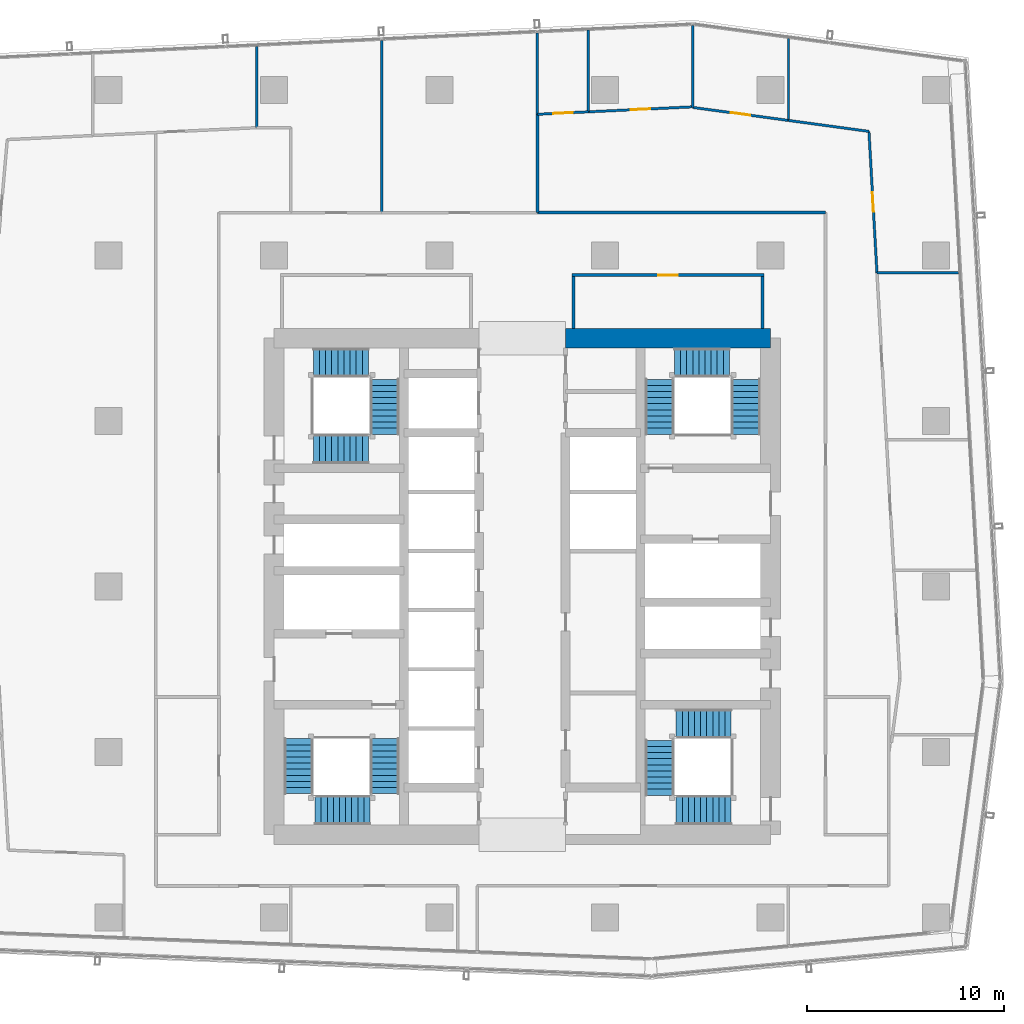
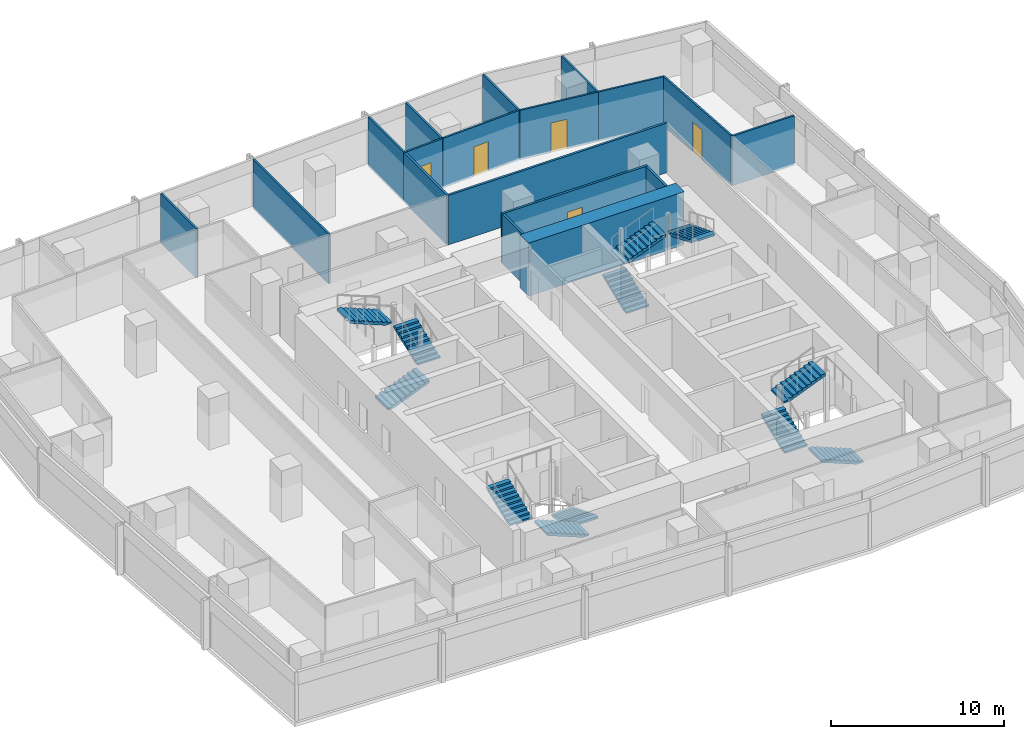
# One storey, part 30 of 38: 18 walls, 12 stair flights, 5 doors, 5 openings, 4 elements without a shape of their own.
"""IFC4 building model written with IfcOpenShell, lengths in metres."""

from ifc_helpers import new_model, si_unit, direction, frame, frame_2d, origin, place, context, subcontext, project, spatial, polyline, rectangle, outline, extrude, material, layer, layer_set, type_object, element, fill, aggregate, save


model = new_model("IFC4")

# Units and contexts
model_context = context("Model", 3, precision=1e-05, world=origin(), true_north=direction((0.0, 1.0)))
body_context = subcontext(model_context, "Body", "Model", "MODEL_VIEW")
ifc_project = project(units=[si_unit("LENGTHUNIT", "METRE"), si_unit("AREAUNIT", "SQUARE_METRE"), si_unit("VOLUMEUNIT", "CUBIC_METRE"), si_unit("PLANEANGLEUNIT", "RADIAN"), si_unit("MASSUNIT", "GRAM", prefix="KILO")], contexts=[model_context])

# Site, building, storey
site_placement = place(None, origin())
site = spatial("IfcSite", under=ifc_project, at=site_placement, CompositionType="ELEMENT")
building_placement = place(site_placement, origin())
building = spatial("IfcBuilding", under=site, at=building_placement, Name="Rekha Terrace Tower", CompositionType="ELEMENT")
storey_placement = place(building_placement, frame((0.0, 0.0, 202.699951171875)))
storey = spatial("IfcBuildingStorey", under=building, at=storey_placement, Name="L51", CompositionType="ELEMENT", Elevation=202.699951171875)

# Wall
ifc_material_1 = material(Name="Concrete M60", Category="concrete")
ifc_layer_1 = layer(ifc_material_1, 1.0)
ifc_layer_set_1 = layer_set([ifc_layer_1], Name="Concrete M60")
wall_type_1 = type_object("IfcWallType", Name="SW3 1000 core outer shear wall", PredefinedType="SHEAR", material=ifc_layer_set_1)
wall_1_placement = place(storey_placement, frame((40.0, 46.199951171875, 0.0), z_axis=(0.0, 0.0, 1.0), x_axis=(1.0, 0.0, 0.0)))
element("IfcWall", 1, at=wall_1_placement, inside=storey, type_object=wall_type_1, Name="Core wall N2 L51", PredefinedType="SHEAR", context=body_context, shape_type="SweptSolid", body=[
    extrude(rectangle(XDim=10.39990234375, YDim=1.0, at=frame_2d((5.199951171875, 0.0))), origin(), (0.0, 0.0, 1.0), 3.75),
])

# Wall, opening, door
ifc_material_2 = material(Name="Concrete block masonry, 1 hour", Category="masonry")
ifc_layer_2 = layer(ifc_material_2, 0.14990234375)
ifc_layer_set_2 = layer_set([ifc_layer_2], Name="Concrete block masonry, 1 hour")
wall_type_2 = type_object("IfcWallType", Name="WP2 150 tenancy partition", PredefinedType="PARTITIONING", material=ifc_layer_set_2)
wall_2_placement = place(storey_placement, frame((40.324951171875, 49.39990234375, 0.0), z_axis=(0.0, 0.0, 1.0), x_axis=(1.0, 0.0, 0.0)))
wall_2 = element("IfcWall", 2, at=wall_2_placement, inside=storey, type_object=wall_type_2, Name="Women's WC wall L51", PredefinedType="PARTITIONING", context=body_context, shape_type="SweptSolid", body=[
    extrude(rectangle(XDim=9.75, YDim=0.14990234375, at=frame_2d((4.875, 0.0))), origin(), (0.0, 0.0, 1.0), 3.5),
])
opening_1_placement = place(wall_2_placement, frame((4.375, 0.0, 0.0)))
opening_1 = element("IfcOpeningElement", 3, at=opening_1_placement, cuts=wall_2, Name="Opening D3", PredefinedType="OPENING", context=body_context, shape_type="SweptSolid", body=[
    extrude(rectangle(XDim=1.0, YDim=2.10009765625, at=frame_2d((0.5, 1.050048828125))), frame((0.0, 0.0849609375, 0.0), z_axis=(0.0, -1.0, 0.0), x_axis=(1.0, 0.0, 0.0)), (0.0, 0.0, 1.0), 0.169921875),
])
ifc_material_3 = material(Name="Laminated timber fire door", Category="wood")
door_type_1 = type_object("IfcDoorType", Name="D3 1000x2100 WC door", OperationType="SINGLE_SWING_LEFT", PredefinedType="DOOR", material=ifc_material_3)
door_1_placement = place(opening_1_placement, origin())
door_1 = element("IfcDoor", 4, at=door_1_placement, inside=storey, type_object=door_type_1, Name="Door women's wc L51", OperationType="SINGLE_SWING_LEFT", OverallHeight=2.10009765625, OverallWidth=1.0, PredefinedType="DOOR", context=body_context, shape_type="SweptSolid", body=[
    extrude(rectangle(XDim=1.0, YDim=2.10009765625, at=frame_2d((0.5, 1.050048828125))), frame((0.0, 0.02490234375, 0.0), z_axis=(0.0, -1.0, 0.0), x_axis=(1.0, 0.0, 0.0)), (0.0, 0.0, 1.0), 0.050048828125),
])
fill(opening_1, door_1)

# Walls
for number, where, z_axis, x_axis, name in (
    (5, (40.39990234375, 46.699951171875, 0.0), (0.0, 0.0, 1.0), (0.0, 1.0, 0.0), "Women's WC wall L51"),
    (6, (50.0, 46.699951171875, 0.0), (0.0, 0.0, 1.0), (0.0, 1.0, 0.0), "Women's WC wall L51"),
):
    element("IfcWall", number, at=place(storey_placement, frame(where, z_axis=z_axis, x_axis=x_axis)), inside=storey, type_object=wall_type_2, Name=name, PredefinedType="PARTITIONING", context=body_context, shape_type="SweptSolid", body=[
        extrude(rectangle(XDim=2.625, YDim=0.14990234375, at=frame_2d((1.3125, 0.0))), origin(), (0.0, 0.0, 1.0), 3.5),
    ])
wall_3_placement = place(storey_placement, frame((53.199951171875, 52.574951171875, 0.0), z_axis=(0.0, 0.0, 1.0), x_axis=(-1.0, 0.0, 0.0)))
element("IfcWall", 7, at=wall_3_placement, inside=storey, type_object=wall_type_2, Name="Partition L51-O1", PredefinedType="PARTITIONING", context=body_context, shape_type="SweptSolid", body=[
    extrude(rectangle(XDim=14.6298828125, YDim=0.14990234375, at=frame_2d((7.31494140625, 0.0))), origin(), (0.0, 0.0, 1.0), 3.5),
])
wall_4_placement = place(storey_placement, frame((38.570068359375, 52.574951171875, 0.0), z_axis=(0.0, 0.0, 1.0), x_axis=(0.0, 1.0, 0.0)))
element("IfcWall", 8, at=wall_4_placement, inside=storey, type_object=wall_type_2, Name="Partition L51-O1", PredefinedType="PARTITIONING", context=body_context, shape_type="SweptSolid", body=[
    extrude(rectangle(XDim=4.990966796875, YDim=0.14990234375, at=frame_2d((2.49560546875, 0.0))), origin(), (0.0, 0.0, 1.0), 3.5),
])
ifc_material_4 = material(Name="Two layers of fire-rated gypsum board each side on steel studs, acoustic quilt, 1 hour", Category="steel")
ifc_layer_3 = layer(ifc_material_4, 0.125)
ifc_layer_set_3 = layer_set([ifc_layer_3], Name="Two layers of fire-rated gypsum board each side on steel studs, acoustic quilt, 1 hour")
wall_type_3 = type_object("IfcWallType", Name="WP3 125 office partition", PredefinedType="PARTITIONING", material=ifc_layer_set_3)
wall_5_placement = place(storey_placement, frame((55.802001953125, 49.52001953125, 0.0), z_axis=(0.0, 0.0, 1.0), x_axis=(1.0, 0.0, 0.0)))
element("IfcWall", 9, at=wall_5_placement, inside=storey, type_object=wall_type_3, Name="Partition L51-05", PredefinedType="PARTITIONING", context=body_context, shape_type="SweptSolid", body=[
    extrude(rectangle(XDim=4.126953125, YDim=0.125, at=frame_2d((2.0634765625, 0.0))), origin(), (0.0, 0.0, 1.0), 3.5),
])
wall_6_placement = place(storey_placement, frame((51.31298828125, 57.2529296875, 0.0), z_axis=(0.0, 0.0, 1.0), x_axis=(0.0, 1.0, 0.0)))
element("IfcWall", 10, at=wall_6_placement, inside=storey, type_object=wall_type_3, Name="Partition L51-06", PredefinedType="PARTITIONING", context=body_context, shape_type="SweptSolid", body=[
    extrude(rectangle(XDim=4.157958984375, YDim=0.125, at=frame_2d((2.0791015625, 0.0))), origin(), (0.0, 0.0, 1.0), 3.5),
])

# Wall, opening, door
wall_7_placement = place(storey_placement, frame((55.802001953125, 49.52099609375, 0.0), z_axis=(0.0, 0.0, 1.0), x_axis=(-0.056623192548, 0.998395620015, 0.0)))
wall_7 = element("IfcWall", 11, at=wall_7_placement, inside=storey, type_object=wall_type_3, Name="Partition L51-06", PredefinedType="PARTITIONING", context=body_context, shape_type="SweptSolid", body=[
    extrude(rectangle(XDim=7.1875, YDim=0.125, at=frame_2d((3.59375, 0.0))), origin(), (0.0, 0.0, 1.0), 3.5),
])
opening_2_placement = place(wall_7_placement, frame((3.093994140625, 0.0, 0.0)))
opening_2 = element("IfcOpeningElement", 12, at=opening_2_placement, cuts=wall_7, Name="Opening D9", PredefinedType="OPENING", context=body_context, shape_type="SweptSolid", body=[
    extrude(rectangle(XDim=1.0, YDim=2.10009765625, at=frame_2d((0.5, 1.050048828125))), frame((0.0, 0.072509765625, 0.0), z_axis=(0.0, -1.0, 0.0), x_axis=(1.0, 0.0, 0.0)), (0.0, 0.0, 1.0), 0.14501953125),
])
ifc_material_5 = material(Name="Timber fire door", Category="wood")
door_type_2 = type_object("IfcDoorType", Name="D9 1000x2100 office door", OperationType="SINGLE_SWING_LEFT", PredefinedType="DOOR", material=ifc_material_5)
door_2_placement = place(opening_2_placement, origin())
door_2 = element("IfcDoor", 13, at=door_2_placement, inside=storey, type_object=door_type_2, Name="Door director's office L51", OperationType="SINGLE_SWING_LEFT", OverallHeight=2.10009765625, OverallWidth=1.0, PredefinedType="DOOR", context=body_context, shape_type="SweptSolid", body=[
    extrude(rectangle(XDim=1.0, YDim=2.10009765625, at=frame_2d((0.5, 1.050048828125))), frame((0.0, 0.02490234375, 0.0), z_axis=(0.0, -1.0, 0.0), x_axis=(1.0, 0.0, 0.0)), (0.0, 0.0, 1.0), 0.050048828125),
])
fill(opening_2, door_2)

# Wall
wall_8_placement = place(storey_placement, frame((55.39501953125, 56.697021484375, 0.0), z_axis=(0.0, 0.0, 1.0), x_axis=(-0.990853953476, 0.134938663401, 0.0)))
element("IfcWall", 14, at=wall_8_placement, inside=storey, type_object=wall_type_3, Name="Partition L51-06", PredefinedType="PARTITIONING", context=body_context, shape_type="SweptSolid", body=[
    extrude(rectangle(XDim=4.11962890625, YDim=0.125, at=frame_2d((2.059814453125, 0.0))), origin(), (0.0, 0.0, 1.0), 3.5),
])

# Wall, opening, door
wall_9_placement = place(storey_placement, frame((51.31201171875, 57.2529296875, 0.0), z_axis=(0.0, 0.0, 1.0), x_axis=(-0.990872766335, 0.134800448573, 0.0)))
wall_9 = element("IfcWall", 15, at=wall_9_placement, inside=storey, type_object=wall_type_3, Name="Partition L51-07", PredefinedType="PARTITIONING", context=body_context, shape_type="SweptSolid", body=[
    extrude(rectangle(XDim=4.911865234375, YDim=0.125, at=frame_2d((2.4560546875, 0.0))), origin(), (0.0, 0.0, 1.0), 3.5),
])
opening_3_placement = place(wall_9_placement, frame((1.9560546875, 0.0, 0.0)))
opening_3 = element("IfcOpeningElement", 16, at=opening_3_placement, cuts=wall_9, Name="Opening D9", PredefinedType="OPENING", context=body_context, shape_type="SweptSolid", body=[
    extrude(rectangle(XDim=1.0, YDim=2.10009765625, at=frame_2d((0.5, 1.050048828125))), frame((0.0, 0.072509765625, 0.0), z_axis=(0.0, -1.0, 0.0), x_axis=(1.0, 0.0, 0.0)), (0.0, 0.0, 1.0), 0.14501953125),
])
door_3_placement = place(opening_3_placement, origin())
door_3 = element("IfcDoor", 17, at=door_3_placement, inside=storey, type_object=door_type_2, Name="Door office L51", OperationType="SINGLE_SWING_LEFT", OverallHeight=2.10009765625, OverallWidth=1.0, PredefinedType="DOOR", context=body_context, shape_type="SweptSolid", body=[
    extrude(rectangle(XDim=1.0, YDim=2.10009765625, at=frame_2d((0.5, 1.050048828125))), frame((0.0, 0.02490234375, 0.0), z_axis=(0.0, -1.0, 0.0), x_axis=(1.0, 0.0, 0.0)), (0.0, 0.0, 1.0), 0.050048828125),
])
fill(opening_3, door_3)

# Walls
wall_10_placement = place(storey_placement, frame((46.445068359375, 57.922119140625, 0.0), z_axis=(0.0, 0.0, 1.0), x_axis=(0.0, 1.0, 0.0)))
element("IfcWall", 18, at=wall_10_placement, inside=storey, type_object=wall_type_3, Name="Partition L51-07", PredefinedType="PARTITIONING", context=body_context, shape_type="SweptSolid", body=[
    extrude(rectangle(XDim=4.144775390625, YDim=0.125, at=frame_2d((2.072265625, 0.0))), origin(), (0.0, 0.0, 1.0), 3.5),
])
wall_11_placement = place(storey_placement, frame((41.152099609375, 57.68994140625, 0.0), z_axis=(0.0, 0.0, 1.0), x_axis=(0.0, 1.0, 0.0)))
element("IfcWall", 19, at=wall_11_placement, inside=storey, type_object=wall_type_3, Name="Partition L51-08", PredefinedType="PARTITIONING", context=body_context, shape_type="SweptSolid", body=[
    extrude(rectangle(XDim=4.155029296875, YDim=0.125, at=frame_2d((2.07763671875, 0.0))), origin(), (0.0, 0.0, 1.0), 3.5),
])

# Wall, opening, door
wall_12_placement = place(storey_placement, frame((46.383056640625, 57.93994140625, 0.0), z_axis=(0.0, 0.0, 1.0), x_axis=(-0.998859895891, -0.047737913441, 0.0)))
wall_12 = element("IfcWall", 20, at=wall_12_placement, inside=storey, type_object=wall_type_3, Name="Partition L51-08", PredefinedType="PARTITIONING", context=body_context, shape_type="SweptSolid", body=[
    extrude(rectangle(XDim=5.23681640625, YDim=0.125, at=frame_2d((2.618408203125, 0.0))), origin(), (0.0, 0.0, 1.0), 3.5),
])
opening_4_placement = place(wall_12_placement, frame((2.087890625, 0.0, 0.0)))
opening_4 = element("IfcOpeningElement", 21, at=opening_4_placement, cuts=wall_12, Name="Opening D9", PredefinedType="OPENING", context=body_context, shape_type="SweptSolid", body=[
    extrude(rectangle(XDim=1.0, YDim=2.10009765625, at=frame_2d((0.5, 1.050048828125))), frame((0.0, 0.072509765625, 0.0), z_axis=(0.0, -1.0, 0.0), x_axis=(1.0, 0.0, 0.0)), (0.0, 0.0, 1.0), 0.14501953125),
])
door_4_placement = place(opening_4_placement, origin())
door_4 = element("IfcDoor", 22, at=door_4_placement, inside=storey, type_object=door_type_2, Name="Door office L51", OperationType="SINGLE_SWING_LEFT", OverallHeight=2.10009765625, OverallWidth=1.0, PredefinedType="DOOR", context=body_context, shape_type="SweptSolid", body=[
    extrude(rectangle(XDim=1.0, YDim=2.10009765625, at=frame_2d((0.5, 1.050048828125))), frame((0.0, 0.02490234375, 0.0), z_axis=(0.0, -1.0, 0.0), x_axis=(1.0, 0.0, 0.0)), (0.0, 0.0, 1.0), 0.050048828125),
])
fill(opening_4, door_4)

wall_13_placement = place(storey_placement, frame((41.15087890625, 57.68994140625, 0.0), z_axis=(0.0, 0.0, 1.0), x_axis=(-0.998847306444, -0.048000608426, 0.0)))
wall_13 = element("IfcWall", 23, at=wall_13_placement, inside=storey, type_object=wall_type_3, Name="Partition L51-09", PredefinedType="PARTITIONING", context=body_context, shape_type="SweptSolid", body=[
    extrude(rectangle(XDim=2.583740234375, YDim=0.125, at=frame_2d((1.2919921875, 0.0))), origin(), (0.0, 0.0, 1.0), 3.5),
])
opening_5_placement = place(wall_13_placement, frame((0.7919921875, 0.0, 0.0)))
opening_5 = element("IfcOpeningElement", 24, at=opening_5_placement, cuts=wall_13, Name="Opening D9", PredefinedType="OPENING", context=body_context, shape_type="SweptSolid", body=[
    extrude(rectangle(XDim=1.0, YDim=2.10009765625, at=frame_2d((0.5, 1.050048828125))), frame((0.0, 0.072509765625, 0.0), z_axis=(0.0, -1.0, 0.0), x_axis=(1.0, 0.0, 0.0)), (0.0, 0.0, 1.0), 0.14501953125),
])
door_5_placement = place(opening_5_placement, origin())
door_5 = element("IfcDoor", 25, at=door_5_placement, inside=storey, type_object=door_type_2, Name="Door office L51", OperationType="SINGLE_SWING_LEFT", OverallHeight=2.10009765625, OverallWidth=1.0, PredefinedType="DOOR", context=body_context, shape_type="SweptSolid", body=[
    extrude(rectangle(XDim=1.0, YDim=2.10009765625, at=frame_2d((0.5, 1.050048828125))), frame((0.0, 0.02490234375, 0.0), z_axis=(0.0, -1.0, 0.0), x_axis=(1.0, 0.0, 0.0)), (0.0, 0.0, 1.0), 0.050048828125),
])
fill(opening_5, door_5)

# Walls
wall_14_placement = place(storey_placement, frame((38.570068359375, 57.56591796875, 0.0), z_axis=(0.0, 0.0, 1.0), x_axis=(0.0, 1.0, 0.0)))
element("IfcWall", 26, at=wall_14_placement, inside=storey, type_object=wall_type_3, Name="Partition L51-09", PredefinedType="PARTITIONING", context=body_context, shape_type="SweptSolid", body=[
    extrude(rectangle(XDim=4.125, YDim=0.125, at=frame_2d((2.0625, 0.0))), origin(), (0.0, 0.0, 1.0), 3.5),
])
wall_15_placement = place(storey_placement, frame((30.660888671875, 61.31298828125, 0.0), z_axis=(0.0, 0.0, 1.0), x_axis=(0.0, -1.0, 0.0)))
element("IfcWall", 27, at=wall_15_placement, inside=storey, type_object=wall_type_3, Name="Partition L51-10", PredefinedType="PARTITIONING", context=body_context, shape_type="SweptSolid", body=[
    extrude(rectangle(XDim=8.738037109375, YDim=0.125, at=frame_2d((4.369140625, 0.0))), origin(), (0.0, 0.0, 1.0), 3.5),
])
wall_16_placement = place(storey_placement, frame((24.318115234375, 56.885009765625, 0.0), z_axis=(0.0, 0.0, 1.0), x_axis=(0.0, 1.0, 0.0)))
element("IfcWall", 28, at=wall_16_placement, inside=storey, type_object=wall_type_3, Name="Partition L51-10", PredefinedType="PARTITIONING", context=body_context, shape_type="SweptSolid", body=[
    extrude(rectangle(XDim=4.125, YDim=0.125, at=frame_2d((2.0625, 0.0))), origin(), (0.0, 0.0, 1.0), 3.5),
])

# Stair, stair flights
ifc_material_6 = material(Name="Concrete M40", Category="concrete")
stair_type = type_object("IfcStairType", Name="ST30 stair, 30 risers of 125, going 310, 1500 wide flights, 3 flights", PredefinedType="HALF_TURN_STAIR", material=ifc_material_6)
stair_1_placement = place(storey_placement, origin())
stair_1 = element("IfcStair", 29, at=stair_1_placement, inside=storey, type_object=stair_type, Name="Stair ST1 L51 to L52", PredefinedType="HALF_TURN_STAIR")
stair_flight_type = type_object("IfcStairFlightType", Name="SF10 stair flight, 10 risers of 125, going 310, 1500 wide", PredefinedType="STRAIGHT", material=ifc_material_6)
stair_flight_1_placement = place(storey_placement, frame((30.824951171875, 25.875, 0.0), z_axis=(0.0, 0.0, 1.0), x_axis=(0.0, -1.0, 0.0)))
stair_flight_1 = element("IfcStairFlight", 30, at=stair_flight_1_placement, type_object=stair_flight_type, Name="ST1 flight 1", NumberOfRisers=10, NumberOfTreads=9, PredefinedType="STRAIGHT", RiserHeight=0.125, TreadLength=0.31, context=body_context, shape_type="SweptSolid", body=[
    extrude(outline(polyline([(0.0, 0.0), (0.0, 0.125), (0.31005859375, 0.125), (0.31005859375, 0.25), (0.6201171875, 0.25), (0.6201171875, 0.375), (0.929931640625, 0.375), (0.929931640625, 0.5), (1.239990234375, 0.5), (1.239990234375, 0.625), (1.550048828125, 0.625), (1.550048828125, 0.75), (1.860107421875, 0.75), (1.860107421875, 0.875), (2.169921875, 0.875), (2.169921875, 1.0), (2.47998046875, 1.0), (2.47998046875, 1.125), (2.7900390625, 1.125), (2.7900390625, 1.25), (2.7900390625, 0.96337890625), (0.40087890625, 0.0), (0.0, 0.0)])), frame((0.0, 0.75, 0.0), z_axis=(0.0, -1.0, 0.0), x_axis=(1.0, 0.0, 0.0)), (0.0, 0.0, 1.0), 1.5),
])
stair_flight_2_placement = place(storey_placement, frame((30.074951171875, 22.25, 1.25), z_axis=(0.0, 0.0, 1.0), x_axis=(-1.0, 0.0, 0.0)))
stair_flight_2 = element("IfcStairFlight", 31, at=stair_flight_2_placement, type_object=stair_flight_type, Name="ST1 flight 2", NumberOfRisers=10, NumberOfTreads=9, PredefinedType="STRAIGHT", RiserHeight=0.125, TreadLength=0.31, context=body_context, shape_type="SweptSolid", body=[
    extrude(outline(polyline([(0.0, 0.0), (0.0, 0.125), (0.31005859375, 0.125), (0.31005859375, 0.25), (0.6201171875, 0.25), (0.6201171875, 0.375), (0.929931640625, 0.375), (0.929931640625, 0.5), (1.239990234375, 0.5), (1.239990234375, 0.625), (1.550048828125, 0.625), (1.550048828125, 0.75), (1.860107421875, 0.75), (1.860107421875, 0.875), (2.169921875, 0.875), (2.169921875, 1.0), (2.47998046875, 1.0), (2.47998046875, 1.125), (2.7900390625, 1.125), (2.7900390625, 1.25), (2.7900390625, 0.96337890625), (0.40087890625, 0.0), (0.0, 0.0)])), frame((0.0, 0.75, 0.0), z_axis=(0.0, -1.0, 0.0), x_axis=(1.0, 0.0, 0.0)), (0.0, 0.0, 1.0), 1.5),
])
stair_flight_3_placement = place(storey_placement, frame((26.449951171875, 23.0849609375, 2.5), z_axis=(0.0, 0.0, 1.0), x_axis=(0.0, 1.0, 0.0)))
stair_flight_3 = element("IfcStairFlight", 32, at=stair_flight_3_placement, type_object=stair_flight_type, Name="ST1 flight 3", NumberOfRisers=10, NumberOfTreads=9, PredefinedType="STRAIGHT", RiserHeight=0.125, TreadLength=0.31, context=body_context, shape_type="SweptSolid", body=[
    extrude(outline(polyline([(0.0, 0.0), (0.0, 0.125), (0.31005859375, 0.125), (0.31005859375, 0.25), (0.6201171875, 0.25), (0.6201171875, 0.375), (0.929931640625, 0.375), (0.929931640625, 0.5), (1.239990234375, 0.5), (1.239990234375, 0.625), (1.550048828125, 0.625), (1.550048828125, 0.75), (1.860107421875, 0.75), (1.860107421875, 0.875), (2.169921875, 0.875), (2.169921875, 1.0), (2.47998046875, 1.0), (2.47998046875, 1.125), (2.7900390625, 1.125), (2.7900390625, 1.25), (2.7900390625, 0.96337890625), (0.40087890625, 0.0), (0.0, 0.0)])), frame((0.0, 0.75, 0.0), z_axis=(0.0, -1.0, 0.0), x_axis=(1.0, 0.0, 0.0)), (0.0, 0.0, 1.0), 1.5),
])
aggregate(stair_1, [stair_flight_1, stair_flight_2, stair_flight_3])

stair_2_placement = place(storey_placement, origin())
stair_2 = element("IfcStair", 33, at=stair_2_placement, inside=storey, type_object=stair_type, Name="Stair ST2 L51 to L52", PredefinedType="HALF_TURN_STAIR")
stair_flight_4_placement = place(storey_placement, frame((44.77490234375, 41.324951171875, 0.0), z_axis=(0.0, 0.0, 1.0), x_axis=(0.0, 1.0, 0.0)))
stair_flight_4 = element("IfcStairFlight", 34, at=stair_flight_4_placement, type_object=stair_flight_type, Name="ST2 flight 1", NumberOfRisers=10, NumberOfTreads=9, PredefinedType="STRAIGHT", RiserHeight=0.125, TreadLength=0.31, context=body_context, shape_type="SweptSolid", body=[
    extrude(outline(polyline([(0.0, 0.0), (0.0, 0.125), (0.31005859375, 0.125), (0.31005859375, 0.25), (0.6201171875, 0.25), (0.6201171875, 0.375), (0.929931640625, 0.375), (0.929931640625, 0.5), (1.239990234375, 0.5), (1.239990234375, 0.625), (1.550048828125, 0.625), (1.550048828125, 0.75), (1.860107421875, 0.75), (1.860107421875, 0.875), (2.169921875, 0.875), (2.169921875, 1.0), (2.47998046875, 1.0), (2.47998046875, 1.125), (2.7900390625, 1.125), (2.7900390625, 1.25), (2.7900390625, 0.96337890625), (0.40087890625, 0.0), (0.0, 0.0)])), frame((0.0, 0.75, 0.0), z_axis=(0.0, -1.0, 0.0), x_axis=(1.0, 0.0, 0.0)), (0.0, 0.0, 1.0), 1.5),
])
stair_flight_5_placement = place(storey_placement, frame((45.52490234375, 44.949951171875, 1.25), z_axis=(0.0, 0.0, 1.0), x_axis=(1.0, 0.0, 0.0)))
stair_flight_5 = element("IfcStairFlight", 35, at=stair_flight_5_placement, type_object=stair_flight_type, Name="ST2 flight 2", NumberOfRisers=10, NumberOfTreads=9, PredefinedType="STRAIGHT", RiserHeight=0.125, TreadLength=0.31, context=body_context, shape_type="SweptSolid", body=[
    extrude(outline(polyline([(0.0, 0.0), (0.0, 0.125), (0.31005859375, 0.125), (0.31005859375, 0.25), (0.6201171875, 0.25), (0.6201171875, 0.375), (0.929931640625, 0.375), (0.929931640625, 0.5), (1.239990234375, 0.5), (1.239990234375, 0.625), (1.550048828125, 0.625), (1.550048828125, 0.75), (1.860107421875, 0.75), (1.860107421875, 0.875), (2.169921875, 0.875), (2.169921875, 1.0), (2.47998046875, 1.0), (2.47998046875, 1.125), (2.7900390625, 1.125), (2.7900390625, 1.25), (2.7900390625, 0.96337890625), (0.40087890625, 0.0), (0.0, 0.0)])), frame((0.0, 0.75, 0.0), z_axis=(0.0, -1.0, 0.0), x_axis=(1.0, 0.0, 0.0)), (0.0, 0.0, 1.0), 1.5),
])
stair_flight_6_placement = place(storey_placement, frame((49.14990234375, 44.114990234375, 2.5), z_axis=(0.0, 0.0, 1.0), x_axis=(0.0, -1.0, 0.0)))
stair_flight_6 = element("IfcStairFlight", 36, at=stair_flight_6_placement, type_object=stair_flight_type, Name="ST2 flight 3", NumberOfRisers=10, NumberOfTreads=9, PredefinedType="STRAIGHT", RiserHeight=0.125, TreadLength=0.31, context=body_context, shape_type="SweptSolid", body=[
    extrude(outline(polyline([(0.0, 0.0), (0.0, 0.125), (0.31005859375, 0.125), (0.31005859375, 0.25), (0.6201171875, 0.25), (0.6201171875, 0.375), (0.929931640625, 0.375), (0.929931640625, 0.5), (1.239990234375, 0.5), (1.239990234375, 0.625), (1.550048828125, 0.625), (1.550048828125, 0.75), (1.860107421875, 0.75), (1.860107421875, 0.875), (2.169921875, 0.875), (2.169921875, 1.0), (2.47998046875, 1.0), (2.47998046875, 1.125), (2.7900390625, 1.125), (2.7900390625, 1.25), (2.7900390625, 0.96337890625), (0.40087890625, 0.0), (0.0, 0.0)])), frame((0.0, 0.75, 0.0), z_axis=(0.0, -1.0, 0.0), x_axis=(1.0, 0.0, 0.0)), (0.0, 0.0, 1.0), 1.5),
])
aggregate(stair_2, [stair_flight_4, stair_flight_5, stair_flight_6])

stair_3_placement = place(storey_placement, origin())
stair_3 = element("IfcStair", 37, at=stair_3_placement, inside=storey, type_object=stair_type, Name="Stair ST3 L51 to L52", PredefinedType="HALF_TURN_STAIR")
stair_flight_7_placement = place(storey_placement, frame((48.39990234375, 22.25, 0.0), z_axis=(0.0, 0.0, 1.0), x_axis=(-1.0, 0.0, 0.0)))
stair_flight_7 = element("IfcStairFlight", 38, at=stair_flight_7_placement, type_object=stair_flight_type, Name="ST3 flight 1", NumberOfRisers=10, NumberOfTreads=9, PredefinedType="STRAIGHT", RiserHeight=0.125, TreadLength=0.31, context=body_context, shape_type="SweptSolid", body=[
    extrude(outline(polyline([(0.0, 0.0), (0.0, 0.125), (0.31005859375, 0.125), (0.31005859375, 0.25), (0.6201171875, 0.25), (0.6201171875, 0.375), (0.929931640625, 0.375), (0.929931640625, 0.5), (1.239990234375, 0.5), (1.239990234375, 0.625), (1.550048828125, 0.625), (1.550048828125, 0.75), (1.860107421875, 0.75), (1.860107421875, 0.875), (2.169921875, 0.875), (2.169921875, 1.0), (2.47998046875, 1.0), (2.47998046875, 1.125), (2.7900390625, 1.125), (2.7900390625, 1.25), (2.7900390625, 0.96337890625), (0.40087890625, 0.0), (0.0, 0.0)])), frame((0.0, 0.75, 0.0), z_axis=(0.0, -1.0, 0.0), x_axis=(1.0, 0.0, 0.0)), (0.0, 0.0, 1.0), 1.5),
])
stair_flight_8_placement = place(storey_placement, frame((44.77490234375, 23.0, 1.25), z_axis=(0.0, 0.0, 1.0), x_axis=(0.0, 1.0, 0.0)))
stair_flight_8 = element("IfcStairFlight", 39, at=stair_flight_8_placement, type_object=stair_flight_type, Name="ST3 flight 2", NumberOfRisers=10, NumberOfTreads=9, PredefinedType="STRAIGHT", RiserHeight=0.125, TreadLength=0.31, context=body_context, shape_type="SweptSolid", body=[
    extrude(outline(polyline([(0.0, 0.0), (0.0, 0.125), (0.31005859375, 0.125), (0.31005859375, 0.25), (0.6201171875, 0.25), (0.6201171875, 0.375), (0.929931640625, 0.375), (0.929931640625, 0.5), (1.239990234375, 0.5), (1.239990234375, 0.625), (1.550048828125, 0.625), (1.550048828125, 0.75), (1.860107421875, 0.75), (1.860107421875, 0.875), (2.169921875, 0.875), (2.169921875, 1.0), (2.47998046875, 1.0), (2.47998046875, 1.125), (2.7900390625, 1.125), (2.7900390625, 1.25), (2.7900390625, 0.96337890625), (0.40087890625, 0.0), (0.0, 0.0)])), frame((0.0, 0.75, 0.0), z_axis=(0.0, -1.0, 0.0), x_axis=(1.0, 0.0, 0.0)), (0.0, 0.0, 1.0), 1.5),
])
stair_flight_9_placement = place(storey_placement, frame((45.610107421875, 26.625, 2.5), z_axis=(0.0, 0.0, 1.0), x_axis=(1.0, 0.0, 0.0)))
stair_flight_9 = element("IfcStairFlight", 40, at=stair_flight_9_placement, type_object=stair_flight_type, Name="ST3 flight 3", NumberOfRisers=10, NumberOfTreads=9, PredefinedType="STRAIGHT", RiserHeight=0.125, TreadLength=0.31, context=body_context, shape_type="SweptSolid", body=[
    extrude(outline(polyline([(0.0, 0.0), (0.0, 0.125), (0.31005859375, 0.125), (0.31005859375, 0.25), (0.6201171875, 0.25), (0.6201171875, 0.375), (0.929931640625, 0.375), (0.929931640625, 0.5), (1.239990234375, 0.5), (1.239990234375, 0.625), (1.550048828125, 0.625), (1.550048828125, 0.75), (1.860107421875, 0.75), (1.860107421875, 0.875), (2.169921875, 0.875), (2.169921875, 1.0), (2.47998046875, 1.0), (2.47998046875, 1.125), (2.7900390625, 1.125), (2.7900390625, 1.25), (2.7900390625, 0.96337890625), (0.40087890625, 0.0), (0.0, 0.0)])), frame((0.0, 0.75, 0.0), z_axis=(0.0, -1.0, 0.0), x_axis=(1.0, 0.0, 0.0)), (0.0, 0.0, 1.0), 1.5),
])
aggregate(stair_3, [stair_flight_7, stair_flight_8, stair_flight_9])

stair_4_placement = place(storey_placement, origin())
stair_4 = element("IfcStair", 41, at=stair_4_placement, inside=storey, type_object=stair_type, Name="Stair ST4 L51 to L52", PredefinedType="HALF_TURN_STAIR")
stair_flight_10_placement = place(storey_placement, frame((27.199951171875, 40.574951171875, 0.0), z_axis=(0.0, 0.0, 1.0), x_axis=(1.0, 0.0, 0.0)))
stair_flight_10 = element("IfcStairFlight", 42, at=stair_flight_10_placement, type_object=stair_flight_type, Name="ST4 flight 1", NumberOfRisers=10, NumberOfTreads=9, PredefinedType="STRAIGHT", RiserHeight=0.125, TreadLength=0.31, context=body_context, shape_type="SweptSolid", body=[
    extrude(outline(polyline([(0.0, 0.0), (0.0, 0.125), (0.31005859375, 0.125), (0.31005859375, 0.25), (0.6201171875, 0.25), (0.6201171875, 0.375), (0.929931640625, 0.375), (0.929931640625, 0.5), (1.239990234375, 0.5), (1.239990234375, 0.625), (1.550048828125, 0.625), (1.550048828125, 0.75), (1.860107421875, 0.75), (1.860107421875, 0.875), (2.169921875, 0.875), (2.169921875, 1.0), (2.47998046875, 1.0), (2.47998046875, 1.125), (2.7900390625, 1.125), (2.7900390625, 1.25), (2.7900390625, 0.96337890625), (0.40087890625, 0.0), (0.0, 0.0)])), frame((0.0, 0.75, 0.0), z_axis=(0.0, -1.0, 0.0), x_axis=(1.0, 0.0, 0.0)), (0.0, 0.0, 1.0), 1.5),
])
stair_flight_11_placement = place(storey_placement, frame((30.824951171875, 41.324951171875, 1.25), z_axis=(0.0, 0.0, 1.0), x_axis=(0.0, 1.0, 0.0)))
stair_flight_11 = element("IfcStairFlight", 43, at=stair_flight_11_placement, type_object=stair_flight_type, Name="ST4 flight 2", NumberOfRisers=10, NumberOfTreads=9, PredefinedType="STRAIGHT", RiserHeight=0.125, TreadLength=0.31, context=body_context, shape_type="SweptSolid", body=[
    extrude(outline(polyline([(0.0, 0.0), (0.0, 0.125), (0.31005859375, 0.125), (0.31005859375, 0.25), (0.6201171875, 0.25), (0.6201171875, 0.375), (0.929931640625, 0.375), (0.929931640625, 0.5), (1.239990234375, 0.5), (1.239990234375, 0.625), (1.550048828125, 0.625), (1.550048828125, 0.75), (1.860107421875, 0.75), (1.860107421875, 0.875), (2.169921875, 0.875), (2.169921875, 1.0), (2.47998046875, 1.0), (2.47998046875, 1.125), (2.7900390625, 1.125), (2.7900390625, 1.25), (2.7900390625, 0.96337890625), (0.40087890625, 0.0), (0.0, 0.0)])), frame((0.0, 0.75, 0.0), z_axis=(0.0, -1.0, 0.0), x_axis=(1.0, 0.0, 0.0)), (0.0, 0.0, 1.0), 1.5),
])
stair_flight_12_placement = place(storey_placement, frame((29.989990234375, 44.949951171875, 2.5), z_axis=(0.0, 0.0, 1.0), x_axis=(-1.0, 0.0, 0.0)))
stair_flight_12 = element("IfcStairFlight", 44, at=stair_flight_12_placement, type_object=stair_flight_type, Name="ST4 flight 3", NumberOfRisers=10, NumberOfTreads=9, PredefinedType="STRAIGHT", RiserHeight=0.125, TreadLength=0.31, context=body_context, shape_type="SweptSolid", body=[
    extrude(outline(polyline([(0.0, 0.0), (0.0, 0.125), (0.31005859375, 0.125), (0.31005859375, 0.25), (0.6201171875, 0.25), (0.6201171875, 0.375), (0.929931640625, 0.375), (0.929931640625, 0.5), (1.239990234375, 0.5), (1.239990234375, 0.625), (1.550048828125, 0.625), (1.550048828125, 0.75), (1.860107421875, 0.75), (1.860107421875, 0.875), (2.169921875, 0.875), (2.169921875, 1.0), (2.47998046875, 1.0), (2.47998046875, 1.125), (2.7900390625, 1.125), (2.7900390625, 1.25), (2.7900390625, 0.96337890625), (0.40087890625, 0.0), (0.0, 0.0)])), frame((0.0, 0.75, 0.0), z_axis=(0.0, -1.0, 0.0), x_axis=(1.0, 0.0, 0.0)), (0.0, 0.0, 1.0), 1.5),
])
aggregate(stair_4, [stair_flight_10, stair_flight_11, stair_flight_12])

save(model, "model.ifc")
